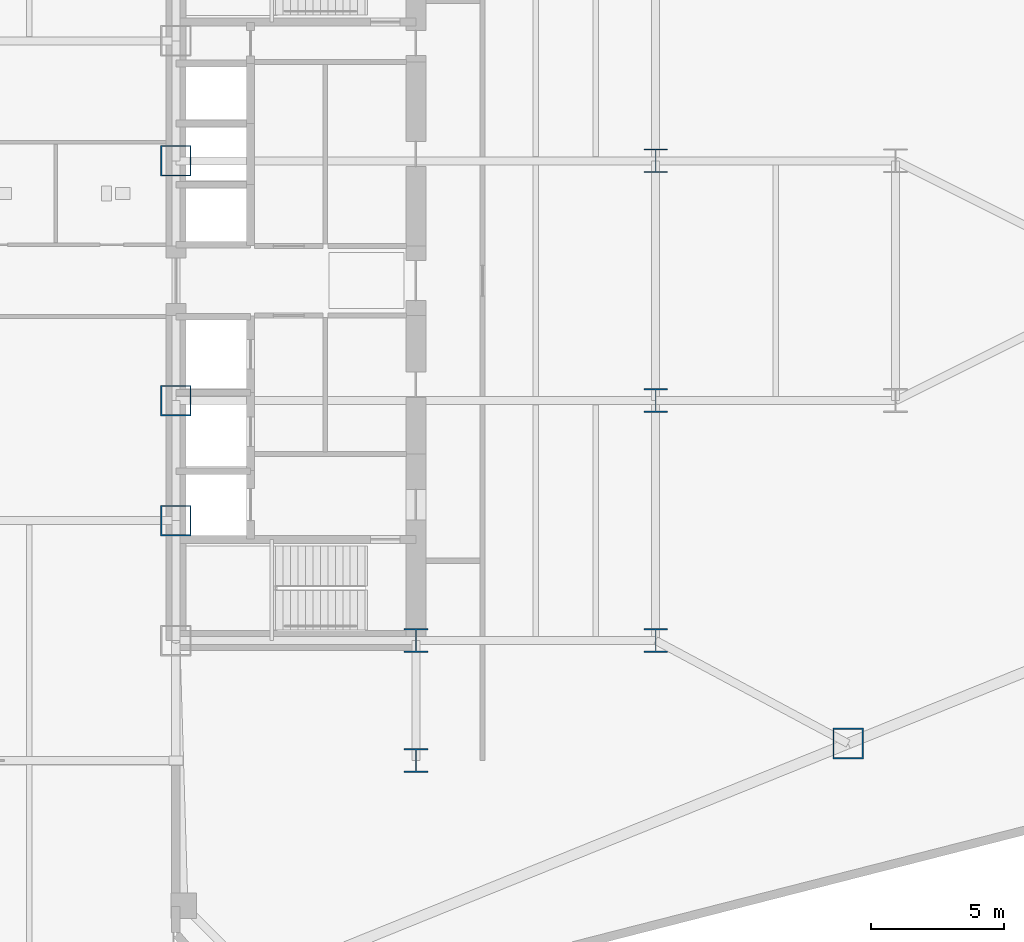
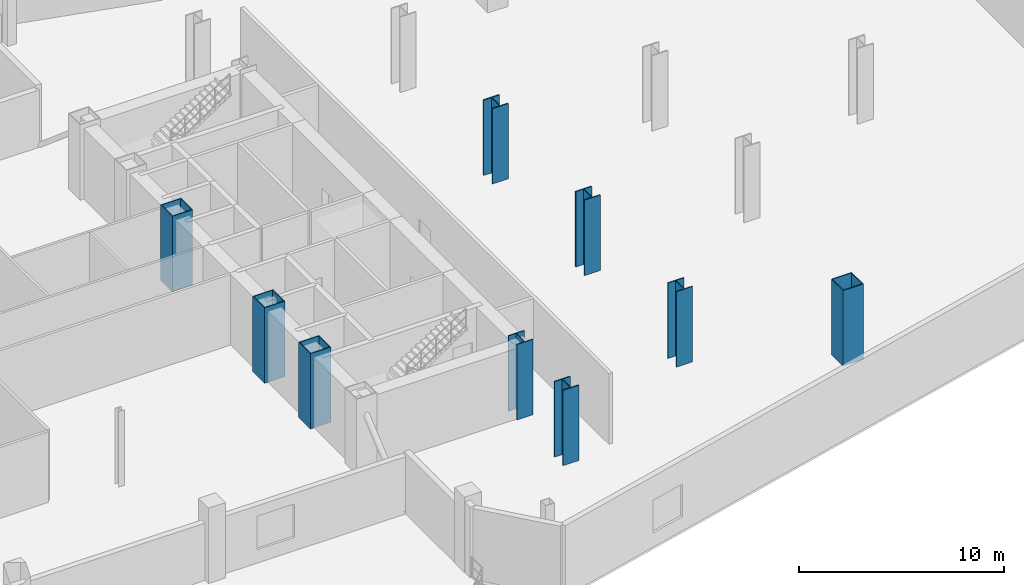
# One storey, part 6 of 27: 9 columns.
"""IFC4 building model written with IfcOpenShell, lengths in metres."""

from ifc_helpers import new_model, si_unit, direction, frame, origin, origin_2d, place, context, subcontext, project, spatial, hollow_rectangle, i_section, extrude, source, transform, mapped, material, material_profile, profile_set, type_object, type_shapes, element, save


model = new_model("IFC4")

# Units and contexts
model_context = context("Model", 3, precision=1e-05, world=origin(), true_north=direction((0.0, 1.0)))
body_context = subcontext(model_context, "Body", "Model", "MODEL_VIEW")
ifc_project = project(units=[si_unit("LENGTHUNIT", "METRE"), si_unit("AREAUNIT", "SQUARE_METRE"), si_unit("VOLUMEUNIT", "CUBIC_METRE"), si_unit("PLANEANGLEUNIT", "RADIAN"), si_unit("MASSUNIT", "GRAM", prefix="KILO")], contexts=[model_context])

# Site, building, storey
site_placement = place(None, origin())
site = spatial("IfcSite", under=ifc_project, at=site_placement, CompositionType="ELEMENT")
building_placement = place(site_placement, origin())
building = spatial("IfcBuilding", under=site, at=building_placement, Name="Seokmaru Belvedere", CompositionType="ELEMENT")
storey_placement = place(building_placement, frame((0.0, 0.0, 9.89990234375)))
storey = spatial("IfcBuildingStorey", under=building, at=storey_placement, Name="L02", CompositionType="ELEMENT", Elevation=9.89990234375)

# Columns
ifc_material = material(Name="Steel HSA650 (650 MPa)", Category="steel")
ifc_material_profile_1 = material_profile(ifc_material, hollow_rectangle(XDim=1.14990234375, YDim=1.14990234375, WallThickness=0.048095703125, at=origin_2d()), Name="BOX-1150x1150x48")
ifc_profile_set_1 = profile_set([ifc_material_profile_1], Name="Steel HSA650 (650 MPa)")
column_type_1 = type_object("IfcColumnType", Name="Portal Spine Column BOX-1150", PredefinedType="COLUMN", material=ifc_profile_set_1)
shared_shape_1 = source(origin(), body_context, "Body", "SweptSolid", [
    extrude(hollow_rectangle(XDim=1.14990234375, YDim=1.14990234375, WallThickness=0.048095703125, at=origin_2d()), origin(), (0.0, 0.0, 1.0), 4.5),
])
type_shapes(column_type_1, [shared_shape_1])
for number, where, z_axis, x_axis, name in (
    (1, (27.5, -9.0, 0.0), (0.0, 0.0, 1.0), (1.0, 0.0, 0.0), "L02 Column ES2"),
    (2, (27.5, -4.5, 0.0), (0.0, 0.0, 1.0), (1.0, 0.0, 0.0), "L02 Column ES3"),
    (3, (27.5, 4.5, 0.0), (0.0, 0.0, 1.0), (1.0, 0.0, 0.0), "L02 Column ES4"),
    (4, (52.715576171875, -17.360595703125, 0.0), (0.0, 0.0, 1.0), (1.0, 0.0, 0.0), "L02 Column EFLK_S2"),
):
    element("IfcColumn", number, at=place(storey_placement, frame(where, z_axis=z_axis, x_axis=x_axis)), inside=storey, type_object=column_type_1, Name=name, PredefinedType="COLUMN", context=body_context, shape_type="MappedRepresentation", body=[
        mapped(shared_shape_1, transform((0.0, 0.0, 0.0), scale=1.0)),
    ])
ifc_material_profile_2 = material_profile(ifc_material, i_section(OverallWidth=0.89990234375, OverallDepth=0.89990234375, WebThickness=0.035888671875, FlangeThickness=0.054931640625, at=origin_2d()), Name="H-900x900x36x55")
ifc_profile_set_2 = profile_set([ifc_material_profile_2], Name="Steel HSA650 (650 MPa)")
column_type_2 = type_object("IfcColumnType", Name="Lower Interior Column H-900", PredefinedType="COLUMN", material=ifc_profile_set_2)
shared_shape_2 = source(origin(), body_context, "Body", "SweptSolid", [
    extrude(i_section(OverallWidth=0.89990234375, OverallDepth=0.89990234375, WebThickness=0.035888671875, FlangeThickness=0.054931640625, at=origin_2d()), origin(), (0.0, 0.0, 1.0), 4.5),
])
type_shapes(column_type_2, [shared_shape_2])
for number, where, z_axis, x_axis, name in (
    (5, (36.5, -18.0, 0.0), (0.0, 0.0, 1.0), (1.0, 0.0, 0.0), "L02 Column EC1"),
    (6, (36.5, -13.5, 0.0), (0.0, 0.0, 1.0), (1.0, 0.0, 0.0), "L02 Column EC2"),
    (7, (45.5, -13.5, 0.0), (0.0, 0.0, 1.0), (1.0, 0.0, 0.0), "L02 Column EG5_1"),
    (8, (45.5, -4.5, 0.0), (0.0, 0.0, 1.0), (1.0, 0.0, 0.0), "L02 Column EG5_2"),
    (9, (45.5, 4.5, 0.0), (0.0, 0.0, 1.0), (1.0, 0.0, 0.0), "L02 Column EG5_3"),
):
    element("IfcColumn", number, at=place(storey_placement, frame(where, z_axis=z_axis, x_axis=x_axis)), inside=storey, type_object=column_type_2, Name=name, PredefinedType="COLUMN", context=body_context, shape_type="MappedRepresentation", body=[
        mapped(shared_shape_2, transform((0.0, 0.0, 0.0), scale=1.0)),
    ])

save(model, "model.ifc")
